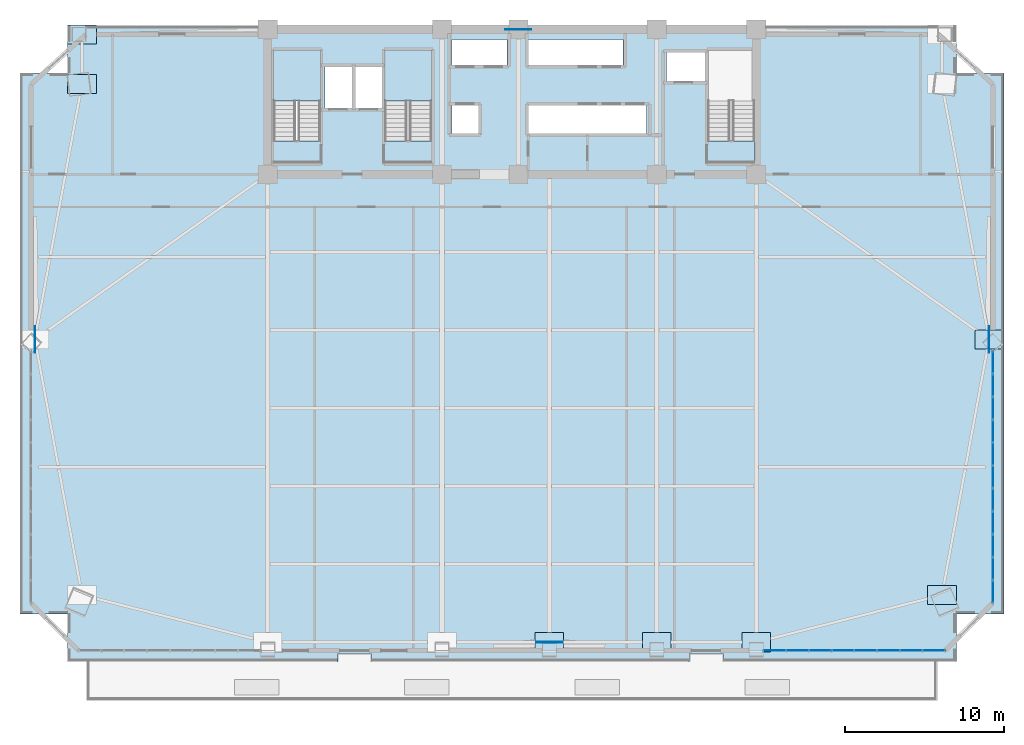
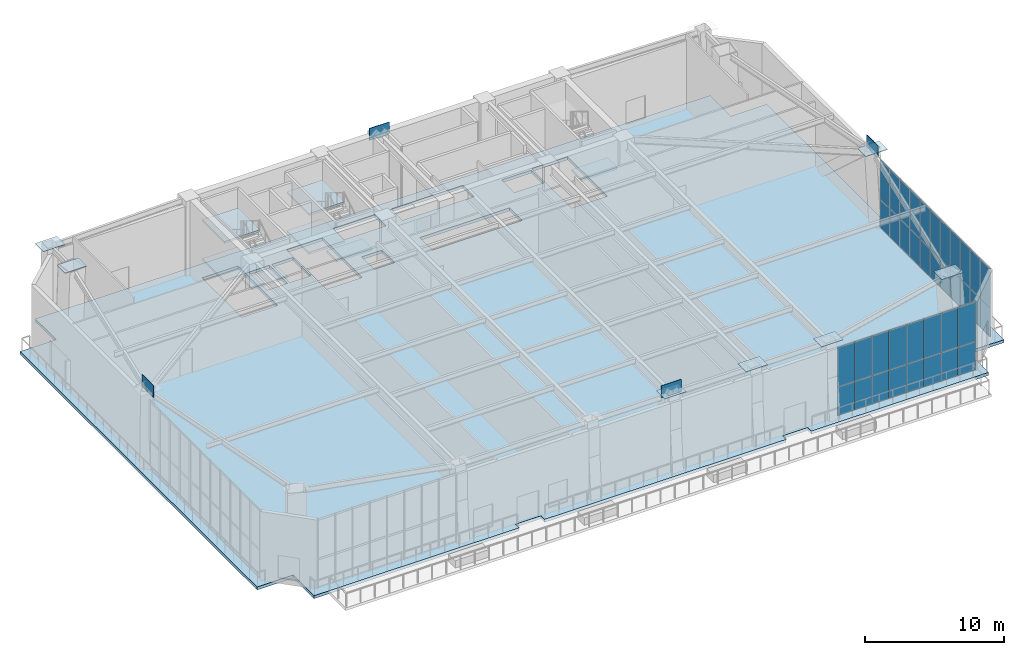
# One storey, part 13 of 22: 49 plates, 8 slabs, 5 elements without a shape of their own.
"""IFC4 building model written with IfcOpenShell, lengths in metres."""

import ifcopenshell
import ifcopenshell.guid

model = None  # the IFC model being written
_history = None  # IfcOwnerHistory: only IFC2X3 demands one
_inside = {}  # id of a spatial element -> (the spatial element, [elements in it])
_under = {}  # id of a project, library or spatial element -> (it, [spatial elements below it])
_declared = {}  # id of a project -> (the project, [libraries it declares])
_typed = {}  # id of a type object -> (the type object, [elements of that type])
_made_of = {}  # id of a material, layer set ... -> (it, [elements and type objects made of it])


def new_model(schema):
    """Start an empty IFC model of exactly this schema.

    Asked for "IFC4X3", IfcOpenShell would pick the latest addendum, in which some entities
    have other attributes; the version numbers below select the first issue.
    IFC2X3 requires an IfcOwnerHistory on every rooted entity: one is made here for all.
    """
    global model, _history
    if schema == "IFC4X3":
        model = ifcopenshell.file(schema_version=(4, 3, 0, 0))
    else:
        model = ifcopenshell.file(schema=schema)
    _inside.clear()
    _under.clear()
    _declared.clear()
    _typed.clear()
    _made_of.clear()
    _history = None
    if model.schema == "IFC2X3":
        org = make("IfcOrganization", Name="unknown")
        user = make(
            "IfcPersonAndOrganization",
            ThePerson=make("IfcPerson", FamilyName="unknown"),
            TheOrganization=org,
        )
        app = make(
            "IfcApplication",
            ApplicationDeveloper=org,
            Version="unknown",
            ApplicationFullName="unknown",
            ApplicationIdentifier="unknown",
        )
        _history = make(
            "IfcOwnerHistory",
            OwningUser=user,
            OwningApplication=app,
            ChangeAction="ADDED",
            CreationDate=0,
        )
    return model


def make(cls, **values):
    """One entity of the class cls with the attributes given. An attribute that is None is left unset."""
    return model.create_entity(
        cls, **{name: value for name, value in values.items() if value is not None}
    )


def rooted(cls, **values):
    """An entity with a GlobalId (a new one), such as an element, a storey or a relation."""
    return make(cls, GlobalId=ifcopenshell.guid.new(), OwnerHistory=_history, **values)


def si_unit(unit_type, name, prefix=None):
    """IfcSIUnit, for example si_unit("LENGTHUNIT", "METRE", prefix="MILLI")."""
    return make("IfcSIUnit", UnitType=unit_type, Prefix=prefix, Name=name)


def assignment(units):
    """IfcUnitAssignment: the units of a project."""
    return None if units is None else make("IfcUnitAssignment", Units=units)


def point(xyz):
    """IfcCartesianPoint."""
    return None if xyz is None else make("IfcCartesianPoint", Coordinates=xyz)


def direction(xyz):
    """IfcDirection."""
    return None if xyz is None else make("IfcDirection", DirectionRatios=xyz)


def frame(location, z_axis=None, x_axis=None):
    """IfcAxis2Placement3D, a coordinate frame: its origin and axes. An axis left out is left unset."""
    return make(
        "IfcAxis2Placement3D",
        Location=point(location),
        Axis=direction(z_axis),
        RefDirection=direction(x_axis),
    )


def frame_2d(location, x_axis=None):
    """IfcAxis2Placement2D, a coordinate frame in the plane: its origin and x axis."""
    return make(
        "IfcAxis2Placement2D", Location=point(location), RefDirection=direction(x_axis)
    )


def origin():
    """The frame at (0, 0, 0) with its axes left unset."""
    return frame((0.0, 0.0, 0.0))


def origin_2d():
    """The frame at (0, 0) in the plane with its x axis left unset."""
    return frame_2d((0.0, 0.0))


def place(relative_to, where):
    """IfcLocalPlacement: puts the frame where relative to a parent placement (None: the world)."""
    return make(
        "IfcLocalPlacement", PlacementRelTo=relative_to, RelativePlacement=where
    )


def context(
    kind, dimensions, precision=None, world=None, true_north=None, identifier=None
):
    """IfcGeometricRepresentationContext, for example the 3D "Model" context."""
    return make(
        "IfcGeometricRepresentationContext",
        ContextIdentifier=identifier,
        ContextType=kind,
        CoordinateSpaceDimension=dimensions,
        Precision=precision,
        WorldCoordinateSystem=world,
        TrueNorth=true_north,
    )


def subcontext(parent, identifier, kind, view, scale=None):
    """IfcGeometricRepresentationSubContext, for example "Body" below "Model"."""
    return make(
        "IfcGeometricRepresentationSubContext",
        ContextIdentifier=identifier,
        ContextType=kind,
        ParentContext=parent,
        TargetScale=scale,
        TargetView=view,
    )


def project(units=None, contexts=None):
    """IfcProject with its units and contexts."""
    return rooted(
        "IfcProject",
        Name="project",
        RepresentationContexts=contexts,
        UnitsInContext=assignment(units),
    )


def spatial(cls, under=None, at=None, **own):
    """A site, building, storey or space (cls), placed at a placement, below another one or the project."""
    s = rooted(cls, ObjectPlacement=at, **own)
    if under is not None:
        _under.setdefault(under.id(), (under, []))[1].append(s)
    return s


def polyline(points):
    """IfcPolyline through the points."""
    return make("IfcPolyline", Points=[point(p) for p in points])


def profile(cls, at=None, kind="AREA", **sizes):
    """A parametric profile (cls). Its sizes go by their IFC names, for example OverallWidth=200.0."""
    return make(cls, ProfileType=kind, Position=at, **sizes)


def rectangle(**sizes):
    """IfcRectangleProfileDef."""
    return profile("IfcRectangleProfileDef", **sizes)


def outline(outer, holes=None, kind="AREA"):
    """IfcArbitraryClosedProfileDef: a profile drawn as a closed curve; with holes, ...WithVoids."""
    if holes is None:
        return make("IfcArbitraryClosedProfileDef", ProfileType=kind, OuterCurve=outer)
    return make(
        "IfcArbitraryProfileDefWithVoids",
        ProfileType=kind,
        OuterCurve=outer,
        InnerCurves=holes,
    )


def extrude(swept, where, along, depth):
    """IfcExtrudedAreaSolid: the profile swept, set in the frame where, extruded along a direction by depth."""
    return make(
        "IfcExtrudedAreaSolid",
        SweptArea=swept,
        Position=where,
        ExtrudedDirection=direction(along),
        Depth=depth,
    )


def shape(context_of_items, identifier, shape_type, items):
    """IfcShapeRepresentation: the items that make up one representation, for example the "Body"."""
    return make(
        "IfcShapeRepresentation",
        ContextOfItems=context_of_items,
        RepresentationIdentifier=identifier,
        RepresentationType=shape_type,
        Items=items,
    )


def source(mapping_origin, context_of_items, identifier, shape_type, items):
    """IfcRepresentationMap: a shape defined once, which mapped items show again and again."""
    return make(
        "IfcRepresentationMap",
        MappingOrigin=mapping_origin,
        MappedRepresentation=shape(context_of_items, identifier, shape_type, items),
    )


def transform(
    local_origin,
    x_axis=None,
    y_axis=None,
    z_axis=None,
    scale=None,
    scale2=None,
    scale3=None,
    uniform=True,
):
    """IfcCartesianTransformationOperator3D, or its non-uniform kind. x_axis, y_axis, z_axis: its Axis1, 2, 3."""
    if uniform:
        return make(
            "IfcCartesianTransformationOperator3D",
            Axis1=direction(x_axis),
            Axis2=direction(y_axis),
            LocalOrigin=point(local_origin),
            Scale=scale,
            Axis3=direction(z_axis),
        )
    return make(
        "IfcCartesianTransformationOperator3DnonUniform",
        Axis1=direction(x_axis),
        Axis2=direction(y_axis),
        LocalOrigin=point(local_origin),
        Scale=scale,
        Axis3=direction(z_axis),
        Scale2=scale2,
        Scale3=scale3,
    )


def mapped(mapping_source, mapping_target):
    """IfcMappedItem: shows the shape of a source again, moved by a transform."""
    return make(
        "IfcMappedItem", MappingSource=mapping_source, MappingTarget=mapping_target
    )


def material(Name=None, Category=None):
    """IfcMaterial."""
    return make("IfcMaterial", Name=Name, Category=Category)


def layer(
    of_material, thickness, ventilated=None, Name=None, Category=None, Priority=None
):
    """IfcMaterialLayer: one layer of a wall or slab, of a material (None: an air gap)."""
    return make(
        "IfcMaterialLayer",
        Material=of_material,
        LayerThickness=thickness,
        IsVentilated=ventilated,
        Name=Name,
        Category=Category,
        Priority=Priority,
    )


def layer_set(layers, Name=None):
    """IfcMaterialLayerSet."""
    return make("IfcMaterialLayerSet", MaterialLayers=layers, LayerSetName=Name)


def made_of(thing, what):
    """Note that an element or type object is made of a material, layer set ...; save() writes the relation."""
    if what is not None:
        _made_of.setdefault(what.id(), (what, []))[1].append(thing)
    return thing


def type_object(cls, material=None, **own):
    """A type object (cls), such as IfcWallType, which elements share."""
    return made_of(rooted(cls, **own), material)


def element(
    cls,
    number,
    at=None,
    inside=None,
    cuts=None,
    type_object=None,
    material=None,
    context=None,
    identifier="Body",
    shape_type=None,
    held_by="IfcProductDefinitionShape",
    body=None,
    shapes=None,
    **own,
):
    """One element of the class cls, such as IfcWall. Its Tag is "e" and its number.

    at: its placement. inside: the storey or other place that contains it. cuts: it is an
    opening in that element (IfcRelVoidsElement). A single representation is given by context,
    identifier, shape_type and body (its items); several are given by shapes. held_by: the class
    of the entity that holds the representations. save() writes the other relations.
    """
    e = rooted(cls, Tag="e%d" % number, ObjectPlacement=at, **own)
    if body is not None:
        shapes = [shape(context, identifier, shape_type, body)]
    if shapes is not None:
        e.Representation = make(held_by, Representations=shapes)
    if inside is not None:
        _inside.setdefault(inside.id(), (inside, []))[1].append(e)
    if cuts is not None:
        rooted(
            "IfcRelVoidsElement", RelatingBuildingElement=cuts, RelatedOpeningElement=e
        )
    if type_object is not None:
        _typed.setdefault(type_object.id(), (type_object, []))[1].append(e)
    return made_of(e, material)


def aggregate(whole, parts):
    """IfcRelAggregates: a whole, such as a stair, and the parts it consists of."""
    return rooted("IfcRelAggregates", RelatingObject=whole, RelatedObjects=parts)


def save(model, path):
    """Write the relations noted so far, then the file.

    IfcRelAggregates (storeys below a building ...), IfcRelContainedInSpatialStructure (elements
    in a storey), IfcRelDefinesByType, IfcRelAssociatesMaterial and IfcRelDeclares: one each for
    every whole, place, type object, material and project.
    """
    for whole, parts in _under.values():
        aggregate(whole, parts)
    for where, things in _inside.values():
        rooted(
            "IfcRelContainedInSpatialStructure",
            RelatedElements=things,
            RelatingStructure=where,
        )
    for kind, things in _typed.values():
        rooted("IfcRelDefinesByType", RelatedObjects=things, RelatingType=kind)
    for what, things in _made_of.values():
        rooted("IfcRelAssociatesMaterial", RelatedObjects=things, RelatingMaterial=what)
    for by, libraries in _declared.values():
        rooted("IfcRelDeclares", RelatingContext=by, RelatedDefinitions=libraries)
    model.write(path)


model = new_model("IFC4")

# Units and contexts
model_context = context("Model", 3, precision=1e-05, world=origin(), true_north=direction((0.0, 1.0)))
body_context = subcontext(model_context, "Body", "Model", "MODEL_VIEW")
ifc_project = project(units=[si_unit("LENGTHUNIT", "METRE"), si_unit("AREAUNIT", "SQUARE_METRE"), si_unit("VOLUMEUNIT", "CUBIC_METRE"), si_unit("PLANEANGLEUNIT", "RADIAN"), si_unit("MASSUNIT", "GRAM", prefix="KILO")], contexts=[model_context])

# Site, building, storey
site_placement = place(None, origin())
site = spatial("IfcSite", under=ifc_project, at=site_placement, CompositionType="ELEMENT")
building_placement = place(site_placement, origin())
building = spatial("IfcBuilding", under=site, at=building_placement, Name="Giltprow Tower", CompositionType="ELEMENT")
storey_placement = place(building_placement, frame((0.0, 0.0, 130.89990234375)))
storey = spatial("IfcBuildingStorey", under=building, at=storey_placement, Name="L32", CompositionType="ELEMENT", Elevation=130.89990234375)

# Slab
ifc_material_1 = material(Name="Concrete C40", Category="concrete")
ifc_layer_1 = layer(ifc_material_1, 0.260009765625, Name="Concrete C40")
ifc_layer_set_1 = layer_set([ifc_layer_1], Name="Concrete C40")
slab_type_1 = type_object("IfcSlabType", Name="SLB-SG-260", PredefinedType="FLOOR", material=ifc_layer_set_1)
slab_1_placement = place(storey_placement, frame((0.0, 0.0, -0.260009765625)))
element("IfcSlab", 1, at=slab_1_placement, inside=storey, type_object=slab_type_1, Name="L32 Structural Composite Floor Slab", PredefinedType="FLOOR", context=body_context, shape_type="SweptSolid", body=[
    extrude(outline(polyline([(7.27001953125, 6.818115234375), (7.27001953125, 9.80908203125), (4.279052734375, 9.80908203125), (4.279052734375, 43.80908203125), (7.27001953125, 43.80908203125), (7.27001953125, 46.800048828125), (63.1298828125, 46.800048828125), (63.1298828125, 43.80908203125), (66.12109375, 43.80908203125), (66.12109375, 9.80908203125), (63.1298828125, 9.80908203125), (63.1298828125, 6.818115234375), (48.449951171875, 6.818115234375), (48.449951171875, 7.337890625), (46.35009765625, 7.337890625), (46.35009765625, 6.818115234375), (26.35009765625, 6.818115234375), (26.35009765625, 7.337890625), (24.25, 7.337890625), (24.25, 6.818115234375), (7.27001953125, 6.818115234375)]), holes=[polyline([(33.10009765625, 41.800048828125), (31.419921875, 41.800048828125), (31.419921875, 40.0), (33.10009765625, 40.0), (33.10009765625, 41.800048828125)]), polyline([(23.159912109375, 39.570068359375), (23.159912109375, 45.25), (20.199951171875, 45.25), (20.199951171875, 39.570068359375), (23.159912109375, 39.570068359375)]), polyline([(30.159912109375, 45.25), (27.199951171875, 45.25), (27.199951171875, 39.570068359375), (30.159912109375, 39.570068359375), (30.159912109375, 45.25)]), polyline([(25.169921875, 41.60009765625), (25.169921875, 44.199951171875), (23.449951171875, 44.199951171875), (23.449951171875, 41.60009765625), (25.169921875, 41.60009765625)]), polyline([(27.10009765625, 41.60009765625), (27.10009765625, 44.199951171875), (25.35009765625, 44.199951171875), (25.35009765625, 41.60009765625), (27.10009765625, 41.60009765625)]), polyline([(43.659912109375, 40.0), (43.659912109375, 41.800048828125), (36.239990234375, 41.800048828125), (36.239990234375, 40.0), (43.659912109375, 40.0)]), polyline([(50.4599609375, 39.570068359375), (50.4599609375, 45.25), (47.5, 45.25), (47.5, 39.570068359375), (50.4599609375, 39.570068359375)]), polyline([(47.3798828125, 45.10009765625), (44.919921875, 45.10009765625), (44.919921875, 43.300048828125), (47.3798828125, 43.300048828125), (47.3798828125, 45.10009765625)]), polyline([(34.8798828125, 44.300048828125), (34.8798828125, 45.919921875), (31.419921875, 45.919921875), (31.419921875, 44.300048828125), (34.8798828125, 44.300048828125)]), polyline([(42.169921875, 44.300048828125), (42.169921875, 45.919921875), (36.239990234375, 45.919921875), (36.239990234375, 44.300048828125), (42.169921875, 44.300048828125)])]), origin(), (0.0, 0.0, 1.0), 0.260009765625),
])

# Stair, slabs
stair_type_1 = type_object("IfcStairType", Name="STR-ST-1", PredefinedType="HALF_TURN_STAIR", material=ifc_material_1)
stair_1_placement = place(storey_placement, origin())
stair_1 = element("IfcStair", 2, at=stair_1_placement, inside=storey, type_object=stair_type_1, Name="L32 Core Exit Stair ST-1", PredefinedType="HALF_TURN_STAIR")
ifc_layer_2 = layer(ifc_material_1, 0.179931640625, Name="Concrete C40")
ifc_layer_set_2 = layer_set([ifc_layer_2], Name="Concrete C40")
slab_type_2 = type_object("IfcSlabType", Name="SLD-ST-1", PredefinedType="LANDING", material=ifc_layer_set_2)
slab_2_placement = place(storey_placement, frame((0.0, 0.0, 1.52001953125)))
slab_2 = element("IfcSlab", 3, at=slab_2_placement, type_object=slab_type_2, Name="ST-1 landing 1", PredefinedType="LANDING", context=body_context, shape_type="SweptSolid", body=[
    extrude(outline(polyline([(23.159912109375, 42.070068359375), (23.159912109375, 45.25), (20.199951171875, 45.25), (20.199951171875, 42.070068359375), (23.159912109375, 42.070068359375)])), origin(), (0.0, 0.0, 1.0), 0.18017578125),
])
slab_3_placement = place(storey_placement, frame((0.0, 0.0, 3.22021484375)))
slab_3 = element("IfcSlab", 4, at=slab_3_placement, type_object=slab_type_2, Name="ST-1 landing 2", PredefinedType="LANDING", context=body_context, shape_type="SweptSolid", body=[
    extrude(outline(polyline([(23.159912109375, 38.14990234375), (23.159912109375, 39.550048828125), (20.199951171875, 39.550048828125), (20.199951171875, 38.14990234375), (23.159912109375, 38.14990234375)])), origin(), (0.0, 0.0, 1.0), 0.179931640625),
])
slab_4_placement = place(storey_placement, frame((0.0, 0.0, 4.920166015625)))
slab_4 = element("IfcSlab", 5, at=slab_4_placement, type_object=slab_type_2, Name="ST-1 landing 3", PredefinedType="LANDING", context=body_context, shape_type="SweptSolid", body=[
    extrude(outline(polyline([(23.159912109375, 42.070068359375), (23.159912109375, 45.25), (20.199951171875, 45.25), (20.199951171875, 42.070068359375), (23.159912109375, 42.070068359375)])), origin(), (0.0, 0.0, 1.0), 0.179931640625),
])
aggregate(stair_1, [slab_2, slab_3, slab_4])

stair_type_2 = type_object("IfcStairType", Name="STR-ST-2", PredefinedType="HALF_TURN_STAIR", material=ifc_material_1)
stair_2_placement = place(storey_placement, origin())
stair_2 = element("IfcStair", 6, at=stair_2_placement, inside=storey, type_object=stair_type_2, Name="L32 Core Exit Stair ST-2", PredefinedType="HALF_TURN_STAIR")
ifc_layer_3 = layer(ifc_material_1, 0.18798828125, Name="Concrete C40")
ifc_layer_set_3 = layer_set([ifc_layer_3], Name="Concrete C40")
slab_type_3 = type_object("IfcSlabType", Name="SLD-ST-2", PredefinedType="LANDING", material=ifc_layer_set_3)
slab_5_placement = place(storey_placement, frame((0.0, 0.0, 1.51220703125)))
slab_5 = element("IfcSlab", 7, at=slab_5_placement, type_object=slab_type_3, Name="ST-2 landing 1", PredefinedType="LANDING", context=body_context, shape_type="SweptSolid", body=[
    extrude(outline(polyline([(30.159912109375, 42.070068359375), (30.159912109375, 45.25), (27.199951171875, 45.25), (27.199951171875, 42.070068359375), (30.159912109375, 42.070068359375)])), origin(), (0.0, 0.0, 1.0), 0.18798828125),
])
slab_6_placement = place(storey_placement, frame((0.0, 0.0, 3.212158203125)))
slab_6 = element("IfcSlab", 8, at=slab_6_placement, type_object=slab_type_3, Name="ST-2 landing 2", PredefinedType="LANDING", context=body_context, shape_type="SweptSolid", body=[
    extrude(outline(polyline([(30.159912109375, 38.14990234375), (30.159912109375, 39.550048828125), (27.199951171875, 39.550048828125), (27.199951171875, 38.14990234375), (30.159912109375, 38.14990234375)])), origin(), (0.0, 0.0, 1.0), 0.18798828125),
])
slab_7_placement = place(storey_placement, frame((0.0, 0.0, 4.912109375)))
slab_7 = element("IfcSlab", 9, at=slab_7_placement, type_object=slab_type_3, Name="ST-2 landing 3", PredefinedType="LANDING", context=body_context, shape_type="SweptSolid", body=[
    extrude(outline(polyline([(30.159912109375, 42.070068359375), (30.159912109375, 45.25), (27.199951171875, 45.25), (27.199951171875, 42.070068359375), (30.159912109375, 42.070068359375)])), origin(), (0.0, 0.0, 1.0), 0.18798828125),
])
aggregate(stair_2, [slab_5, slab_6, slab_7])

# Stair, slab
stair_type_3 = type_object("IfcStairType", Name="STR-ST-3", PredefinedType="HALF_TURN_STAIR", material=ifc_material_1)
stair_3_placement = place(storey_placement, origin())
stair_3 = element("IfcStair", 10, at=stair_3_placement, inside=storey, type_object=stair_type_3, Name="L32 Core Exit Stair ST-3", PredefinedType="HALF_TURN_STAIR")
ifc_layer_4 = layer(ifc_material_1, 0.196044921875, Name="Concrete C40")
ifc_layer_set_4 = layer_set([ifc_layer_4], Name="Concrete C40")
slab_type_4 = type_object("IfcSlabType", Name="SLD-ST-3", PredefinedType="LANDING", material=ifc_layer_set_4)
slab_8_placement = place(storey_placement, frame((0.0, 0.0, 3.2041015625)))
slab_8 = element("IfcSlab", 11, at=slab_8_placement, type_object=slab_type_4, Name="ST-3 landing 2", PredefinedType="LANDING", context=body_context, shape_type="SweptSolid", body=[
    extrude(outline(polyline([(50.4599609375, 38.14990234375), (50.4599609375, 39.550048828125), (47.5, 39.550048828125), (47.5, 38.14990234375), (50.4599609375, 38.14990234375)])), origin(), (0.0, 0.0, 1.0), 0.196044921875),
])
aggregate(stair_3, [slab_8])

# Plates
ifc_material_2 = material(Name="Structural steel Q420GJC", Category="steel")
plate_type_1 = type_object("IfcPlateType", Name="PLT-NODE-CKN1", PredefinedType="USERDEFINED", material=ifc_material_2)
shared_shape_1 = source(origin(), body_context, "Body", "SweptSolid", [
    extrude(rectangle(XDim=1.800048828125, YDim=1.199951171875, at=origin_2d()), origin(), (0.0, 0.0, 1.0), 0.044921875),
])
for number, where, z_axis, x_axis, name in (
    (12, (62.220947265625, 11.010009765625, 6.527587890625), (0.0, 0.0, 1.0), (1.0, 0.0, 0.0), "CKN1 Column Taper Splice Node L32-MC_SE"),
    (13, (8.178955078125, 43.134033203125, 6.527587890625), (0.0, 0.0, 1.0), (1.0, 0.0, 0.0), "CKN1 Column Taper Splice Node L32-MC_NW"),
    (14, (37.550048828125, 8.044921875, 6.527587890625), (0.0, 0.0, 1.0), (1.0, 0.0, 0.0), "CKN1 Column Taper Splice Node L32-S_MID"),
    (15, (44.300048828125, 8.044921875, 6.527587890625), (0.0, 0.0, 1.0), (1.0, 0.0, 0.0), "CKN1 Column Taper Splice Node L32-S3"),
    (16, (50.550048828125, 8.044921875, 6.527587890625), (0.0, 0.0, 1.0), (1.0, 0.0, 0.0), "CKN1 Column Taper Splice Node L32-S4"),
    (17, (65.18603515625, 27.072021484375, 6.527587890625), (0.0, 0.0, 1.0), (1.0, 0.0, 0.0), "CKN1 Column Taper Splice Node L32-E_MID"),
    (18, (8.178955078125, 46.25, 6.527587890625), (0.0, 0.0, 1.0), (1.0, 0.0, 0.0), "CKN1 Column Taper Splice Node L32-N_W"),
):
    element("IfcPlate", number, at=place(storey_placement, frame(where, z_axis=z_axis, x_axis=x_axis)), inside=storey, type_object=plate_type_1, Name=name, ObjectType="SPLICE", PredefinedType="USERDEFINED", context=body_context, shape_type="MappedRepresentation", body=[
        mapped(shared_shape_1, transform((0.0, 0.0, 0.0), x_axis=(1.0, 0.0, 0.0), y_axis=(0.0, 1.0, 0.0), z_axis=(0.0, 0.0, 1.0), scale=1.0)),
    ])
plate_type_2 = type_object("IfcPlateType", Name="PLT-NODE-MBN2", PredefinedType="USERDEFINED", material=ifc_material_2)
shared_shape_2 = source(origin(), body_context, "Body", "SweptSolid", [
    extrude(rectangle(XDim=1.64990234375, YDim=0.044921875, at=origin_2d()), origin(), (0.0, 0.0, 1.0), 1.050048828125),
])
for number, where, z_axis, x_axis, name in (
    (19, (37.550048828125, 8.044921875, 6.27490234375), (0.0, 0.0, 1.0), (1.0, 0.0, 0.0), "Mega-Brace Node L32-S-LB"),
    (20, (35.60009765625, 46.550048828125, 6.13525390625), (0.0, 0.0, 1.0), (1.0, 0.0, 0.0), "Mega-Brace Node L32-N-LB"),
    (21, (5.214111328125, 27.072021484375, 6.27490234375), (0.0, 0.0, 1.0), (0.0, 1.0, 0.0), "Mega-Brace Node L32-W-RB"),
    (22, (65.18603515625, 27.072021484375, 6.27490234375), (0.0, 0.0, 1.0), (0.0, 1.0, 0.0), "Mega-Brace Node L32-E-RB"),
):
    element("IfcPlate", number, at=place(storey_placement, frame(where, z_axis=z_axis, x_axis=x_axis)), inside=storey, type_object=plate_type_2, Name=name, ObjectType="GUSSET", PredefinedType="USERDEFINED", context=body_context, shape_type="MappedRepresentation", body=[
        mapped(shared_shape_2, transform((0.0, 0.0, 0.0), x_axis=(1.0, 0.0, 0.0), y_axis=(0.0, 1.0, 0.0), z_axis=(0.0, 0.0, 1.0), scale=1.0)),
    ])

# Curtain wall, plates
ifc_material_3 = material(Name="Anodized bronze", Category="metal")
ifc_layer_5 = layer(ifc_material_3, 0.179931640625, Name="Anodized bronze")
ifc_layer_set_5 = layer_set([ifc_layer_5], Name="Anodized bronze")
curtain_wall_type = type_object("IfcCurtainWallType", Name="CW-SKYGARDEN", PredefinedType="NOTDEFINED", material=ifc_layer_set_5)
curtain_wall_1_placement = place(storey_placement, origin())
curtain_wall_1 = element("IfcCurtainWall", 23, at=curtain_wall_1_placement, inside=storey, type_object=curtain_wall_type, Name="L32 South Recessed Curtain Wall 6", PredefinedType="NOTDEFINED")
ifc_material_4 = material(Name="Insulated glass", Category="glass")
plate_type_3 = type_object("IfcPlateType", Name="CW-PANEL-IGU-28", PredefinedType="CURTAIN_PANEL", material=ifc_material_4)
shared_shape_3 = source(origin(), body_context, "Body", "SweptSolid", [
    extrude(rectangle(XDim=1.39892578125, YDim=0.028076171875, at=origin_2d()), origin(), (0.0, 0.0, 1.0), 2.472900390625),
])
plate_1_placement = place(storey_placement, frame((51.714111328125, 7.51806640625, 0.0537109375), z_axis=(0.0, 0.0, 1.0), x_axis=(1.0, 0.0, 0.0)))
plate_1 = element("IfcPlate", 24, at=plate_1_placement, type_object=plate_type_3, Name="L32 South Recessed Curtain Wall 6 Glazing Panel 1-1", PredefinedType="CURTAIN_PANEL", context=body_context, shape_type="MappedRepresentation", body=[
    mapped(shared_shape_3, transform((0.0, 0.0, 0.0), x_axis=(1.0, 0.0, 0.0), y_axis=(0.0, 1.0, 0.0), z_axis=(0.0, 0.0, 1.0), scale=1.0)),
])
plate_2_placement = place(storey_placement, frame((53.14306640625, 7.51806640625, 0.0537109375), z_axis=(0.0, 0.0, 1.0), x_axis=(1.0, 0.0, 0.0)))
plate_2 = element("IfcPlate", 25, at=plate_2_placement, type_object=plate_type_3, Name="L32 South Recessed Curtain Wall 6 Glazing Panel 2-1", PredefinedType="CURTAIN_PANEL", context=body_context, shape_type="MappedRepresentation", body=[
    mapped(shared_shape_3, transform((0.0, 0.0, 0.0), x_axis=(1.0, 0.0, 0.0), y_axis=(0.0, 1.0, 0.0), z_axis=(0.0, 0.0, 1.0), scale=1.0)),
])
plate_3_placement = place(storey_placement, frame((54.572021484375, 7.51806640625, 0.0537109375), z_axis=(0.0, 0.0, 1.0), x_axis=(1.0, 0.0, 0.0)))
plate_3 = element("IfcPlate", 26, at=plate_3_placement, type_object=plate_type_3, Name="L32 South Recessed Curtain Wall 6 Glazing Panel 3-1", PredefinedType="CURTAIN_PANEL", context=body_context, shape_type="MappedRepresentation", body=[
    mapped(shared_shape_3, transform((0.0, 0.0, 0.0), x_axis=(1.0, 0.0, 0.0), y_axis=(0.0, 1.0, 0.0), z_axis=(0.0, 0.0, 1.0), scale=1.0)),
])
plate_4_placement = place(storey_placement, frame((56.0009765625, 7.51806640625, 0.0537109375), z_axis=(0.0, 0.0, 1.0), x_axis=(1.0, 0.0, 0.0)))
plate_4 = element("IfcPlate", 27, at=plate_4_placement, type_object=plate_type_3, Name="L32 South Recessed Curtain Wall 6 Glazing Panel 4-1", PredefinedType="CURTAIN_PANEL", context=body_context, shape_type="MappedRepresentation", body=[
    mapped(shared_shape_3, transform((0.0, 0.0, 0.0), x_axis=(1.0, 0.0, 0.0), y_axis=(0.0, 1.0, 0.0), z_axis=(0.0, 0.0, 1.0), scale=1.0)),
])
plate_5_placement = place(storey_placement, frame((57.428955078125, 7.51806640625, 0.0537109375), z_axis=(0.0, 0.0, 1.0), x_axis=(1.0, 0.0, 0.0)))
plate_5 = element("IfcPlate", 28, at=plate_5_placement, type_object=plate_type_3, Name="L32 South Recessed Curtain Wall 6 Glazing Panel 5-1", PredefinedType="CURTAIN_PANEL", context=body_context, shape_type="MappedRepresentation", body=[
    mapped(shared_shape_3, transform((0.0, 0.0, 0.0), x_axis=(1.0, 0.0, 0.0), y_axis=(0.0, 1.0, 0.0), z_axis=(0.0, 0.0, 1.0), scale=1.0)),
])
plate_6_placement = place(storey_placement, frame((58.85791015625, 7.51806640625, 0.0537109375), z_axis=(0.0, 0.0, 1.0), x_axis=(1.0, 0.0, 0.0)))
plate_6 = element("IfcPlate", 29, at=plate_6_placement, type_object=plate_type_3, Name="L32 South Recessed Curtain Wall 6 Glazing Panel 6-1", PredefinedType="CURTAIN_PANEL", context=body_context, shape_type="MappedRepresentation", body=[
    mapped(shared_shape_3, transform((0.0, 0.0, 0.0), x_axis=(1.0, 0.0, 0.0), y_axis=(0.0, 1.0, 0.0), z_axis=(0.0, 0.0, 1.0), scale=1.0)),
])
plate_7_placement = place(storey_placement, frame((60.287109375, 7.51806640625, 0.0537109375), z_axis=(0.0, 0.0, 1.0), x_axis=(1.0, 0.0, 0.0)))
plate_7 = element("IfcPlate", 30, at=plate_7_placement, type_object=plate_type_3, Name="L32 South Recessed Curtain Wall 6 Glazing Panel 7-1", PredefinedType="CURTAIN_PANEL", context=body_context, shape_type="MappedRepresentation", body=[
    mapped(shared_shape_3, transform((0.0, 0.0, 0.0), x_axis=(1.0, 0.0, 0.0), y_axis=(0.0, 1.0, 0.0), z_axis=(0.0, 0.0, 1.0), scale=1.0)),
])
plate_8_placement = place(storey_placement, frame((61.716064453125, 7.51806640625, 0.0537109375), z_axis=(0.0, 0.0, 1.0), x_axis=(1.0, 0.0, 0.0)))
plate_8 = element("IfcPlate", 31, at=plate_8_placement, type_object=plate_type_3, Name="L32 South Recessed Curtain Wall 6 Glazing Panel 8-1", PredefinedType="CURTAIN_PANEL", context=body_context, shape_type="MappedRepresentation", body=[
    mapped(shared_shape_3, transform((0.0, 0.0, 0.0), x_axis=(1.0, 0.0, 0.0), y_axis=(0.0, 1.0, 0.0), z_axis=(0.0, 0.0, 1.0), scale=1.0)),
])
shared_shape_4 = source(origin(), body_context, "Body", "SweptSolid", [
    extrude(rectangle(XDim=1.39892578125, YDim=0.028076171875, at=origin_2d()), origin(), (0.0, 0.0, 1.0), 3.44091796875),
])
plate_9_placement = place(storey_placement, frame((51.714111328125, 7.51806640625, 2.5546875), z_axis=(0.0, 0.0, 1.0), x_axis=(1.0, 0.0, 0.0)))
plate_9 = element("IfcPlate", 32, at=plate_9_placement, type_object=plate_type_3, Name="L32 South Recessed Curtain Wall 6 Glazing Panel 1-2", PredefinedType="CURTAIN_PANEL", context=body_context, shape_type="MappedRepresentation", body=[
    mapped(shared_shape_4, transform((0.0, 0.0, 0.0), x_axis=(1.0, 0.0, 0.0), y_axis=(0.0, 1.0, 0.0), z_axis=(0.0, 0.0, 1.0), scale=1.0)),
])
plate_10_placement = place(storey_placement, frame((53.14306640625, 7.51806640625, 2.5546875), z_axis=(0.0, 0.0, 1.0), x_axis=(1.0, 0.0, 0.0)))
plate_10 = element("IfcPlate", 33, at=plate_10_placement, type_object=plate_type_3, Name="L32 South Recessed Curtain Wall 6 Glazing Panel 2-2", PredefinedType="CURTAIN_PANEL", context=body_context, shape_type="MappedRepresentation", body=[
    mapped(shared_shape_4, transform((0.0, 0.0, 0.0), x_axis=(1.0, 0.0, 0.0), y_axis=(0.0, 1.0, 0.0), z_axis=(0.0, 0.0, 1.0), scale=1.0)),
])
plate_11_placement = place(storey_placement, frame((54.572021484375, 7.51806640625, 2.5546875), z_axis=(0.0, 0.0, 1.0), x_axis=(1.0, 0.0, 0.0)))
plate_11 = element("IfcPlate", 34, at=plate_11_placement, type_object=plate_type_3, Name="L32 South Recessed Curtain Wall 6 Glazing Panel 3-2", PredefinedType="CURTAIN_PANEL", context=body_context, shape_type="MappedRepresentation", body=[
    mapped(shared_shape_4, transform((0.0, 0.0, 0.0), x_axis=(1.0, 0.0, 0.0), y_axis=(0.0, 1.0, 0.0), z_axis=(0.0, 0.0, 1.0), scale=1.0)),
])
plate_12_placement = place(storey_placement, frame((56.0009765625, 7.51806640625, 2.5546875), z_axis=(0.0, 0.0, 1.0), x_axis=(1.0, 0.0, 0.0)))
plate_12 = element("IfcPlate", 35, at=plate_12_placement, type_object=plate_type_3, Name="L32 South Recessed Curtain Wall 6 Glazing Panel 4-2", PredefinedType="CURTAIN_PANEL", context=body_context, shape_type="MappedRepresentation", body=[
    mapped(shared_shape_4, transform((0.0, 0.0, 0.0), x_axis=(1.0, 0.0, 0.0), y_axis=(0.0, 1.0, 0.0), z_axis=(0.0, 0.0, 1.0), scale=1.0)),
])
plate_13_placement = place(storey_placement, frame((57.428955078125, 7.51806640625, 2.5546875), z_axis=(0.0, 0.0, 1.0), x_axis=(1.0, 0.0, 0.0)))
plate_13 = element("IfcPlate", 36, at=plate_13_placement, type_object=plate_type_3, Name="L32 South Recessed Curtain Wall 6 Glazing Panel 5-2", PredefinedType="CURTAIN_PANEL", context=body_context, shape_type="MappedRepresentation", body=[
    mapped(shared_shape_4, transform((0.0, 0.0, 0.0), x_axis=(1.0, 0.0, 0.0), y_axis=(0.0, 1.0, 0.0), z_axis=(0.0, 0.0, 1.0), scale=1.0)),
])
plate_14_placement = place(storey_placement, frame((58.85791015625, 7.51806640625, 2.5546875), z_axis=(0.0, 0.0, 1.0), x_axis=(1.0, 0.0, 0.0)))
plate_14 = element("IfcPlate", 37, at=plate_14_placement, type_object=plate_type_3, Name="L32 South Recessed Curtain Wall 6 Glazing Panel 6-2", PredefinedType="CURTAIN_PANEL", context=body_context, shape_type="MappedRepresentation", body=[
    mapped(shared_shape_4, transform((0.0, 0.0, 0.0), x_axis=(1.0, 0.0, 0.0), y_axis=(0.0, 1.0, 0.0), z_axis=(0.0, 0.0, 1.0), scale=1.0)),
])
plate_15_placement = place(storey_placement, frame((60.287109375, 7.51806640625, 2.5546875), z_axis=(0.0, 0.0, 1.0), x_axis=(1.0, 0.0, 0.0)))
plate_15 = element("IfcPlate", 38, at=plate_15_placement, type_object=plate_type_3, Name="L32 South Recessed Curtain Wall 6 Glazing Panel 7-2", PredefinedType="CURTAIN_PANEL", context=body_context, shape_type="MappedRepresentation", body=[
    mapped(shared_shape_4, transform((0.0, 0.0, 0.0), x_axis=(1.0, 0.0, 0.0), y_axis=(0.0, 1.0, 0.0), z_axis=(0.0, 0.0, 1.0), scale=1.0)),
])
plate_16_placement = place(storey_placement, frame((61.716064453125, 7.51806640625, 2.5546875), z_axis=(0.0, 0.0, 1.0), x_axis=(1.0, 0.0, 0.0)))
plate_16 = element("IfcPlate", 39, at=plate_16_placement, type_object=plate_type_3, Name="L32 South Recessed Curtain Wall 6 Glazing Panel 8-2", PredefinedType="CURTAIN_PANEL", context=body_context, shape_type="MappedRepresentation", body=[
    mapped(shared_shape_4, transform((0.0, 0.0, 0.0), x_axis=(1.0, 0.0, 0.0), y_axis=(0.0, 1.0, 0.0), z_axis=(0.0, 0.0, 1.0), scale=1.0)),
])
aggregate(curtain_wall_1, [plate_1, plate_9, plate_2, plate_10, plate_3, plate_11, plate_4, plate_12, plate_5, plate_13, plate_6, plate_14, plate_7, plate_15, plate_8, plate_16])

curtain_wall_2_placement = place(storey_placement, origin())
curtain_wall_2 = element("IfcCurtainWall", 40, at=curtain_wall_2_placement, inside=storey, type_object=curtain_wall_type, Name="L32 E Sky Garden Glazing", PredefinedType="NOTDEFINED")
shared_shape_5 = source(origin(), body_context, "Body", "SweptSolid", [
    extrude(rectangle(XDim=1.410888671875, YDim=0.028076171875, at=origin_2d()), origin(), (0.0, 0.0, 1.0), 2.472900390625),
])
plate_17_placement = place(storey_placement, frame((65.4208984375, 11.22900390625, 0.0537109375), z_axis=(0.0, 0.0, 1.0), x_axis=(0.0, 1.0, 0.0)))
plate_17 = element("IfcPlate", 41, at=plate_17_placement, type_object=plate_type_3, Name="L32 E Sky Garden Glazing Glazing Panel 1-1", PredefinedType="CURTAIN_PANEL", context=body_context, shape_type="MappedRepresentation", body=[
    mapped(shared_shape_5, transform((0.0, 0.0, 0.0), x_axis=(1.0, 0.0, 0.0), y_axis=(0.0, 1.0, 0.0), z_axis=(0.0, 0.0, 1.0), scale=1.0)),
])
plate_18_placement = place(storey_placement, frame((65.4208984375, 12.669921875, 0.0537109375), z_axis=(0.0, 0.0, 1.0), x_axis=(0.0, 1.0, 0.0)))
plate_18 = element("IfcPlate", 42, at=plate_18_placement, type_object=plate_type_3, Name="L32 E Sky Garden Glazing Glazing Panel 2-1", PredefinedType="CURTAIN_PANEL", context=body_context, shape_type="MappedRepresentation", body=[
    mapped(shared_shape_5, transform((0.0, 0.0, 0.0), x_axis=(1.0, 0.0, 0.0), y_axis=(0.0, 1.0, 0.0), z_axis=(0.0, 0.0, 1.0), scale=1.0)),
])
plate_19_placement = place(storey_placement, frame((65.4208984375, 14.111083984375, 0.0537109375), z_axis=(0.0, 0.0, 1.0), x_axis=(0.0, 1.0, 0.0)))
plate_19 = element("IfcPlate", 43, at=plate_19_placement, type_object=plate_type_3, Name="L32 E Sky Garden Glazing Glazing Panel 3-1", PredefinedType="CURTAIN_PANEL", context=body_context, shape_type="MappedRepresentation", body=[
    mapped(shared_shape_5, transform((0.0, 0.0, 0.0), x_axis=(1.0, 0.0, 0.0), y_axis=(0.0, 1.0, 0.0), z_axis=(0.0, 0.0, 1.0), scale=1.0)),
])
plate_20_placement = place(storey_placement, frame((65.4208984375, 15.552001953125, 0.0537109375), z_axis=(0.0, 0.0, 1.0), x_axis=(0.0, 1.0, 0.0)))
plate_20 = element("IfcPlate", 44, at=plate_20_placement, type_object=plate_type_3, Name="L32 E Sky Garden Glazing Glazing Panel 4-1", PredefinedType="CURTAIN_PANEL", context=body_context, shape_type="MappedRepresentation", body=[
    mapped(shared_shape_5, transform((0.0, 0.0, 0.0), x_axis=(1.0, 0.0, 0.0), y_axis=(0.0, 1.0, 0.0), z_axis=(0.0, 0.0, 1.0), scale=1.0)),
])
plate_21_placement = place(storey_placement, frame((65.4208984375, 16.992919921875, 0.0537109375), z_axis=(0.0, 0.0, 1.0), x_axis=(0.0, 1.0, 0.0)))
plate_21 = element("IfcPlate", 45, at=plate_21_placement, type_object=plate_type_3, Name="L32 E Sky Garden Glazing Glazing Panel 5-1", PredefinedType="CURTAIN_PANEL", context=body_context, shape_type="MappedRepresentation", body=[
    mapped(shared_shape_5, transform((0.0, 0.0, 0.0), x_axis=(1.0, 0.0, 0.0), y_axis=(0.0, 1.0, 0.0), z_axis=(0.0, 0.0, 1.0), scale=1.0)),
])
plate_22_placement = place(storey_placement, frame((65.4208984375, 18.43408203125, 0.0537109375), z_axis=(0.0, 0.0, 1.0), x_axis=(0.0, 1.0, 0.0)))
plate_22 = element("IfcPlate", 46, at=plate_22_placement, type_object=plate_type_3, Name="L32 E Sky Garden Glazing Glazing Panel 6-1", PredefinedType="CURTAIN_PANEL", context=body_context, shape_type="MappedRepresentation", body=[
    mapped(shared_shape_5, transform((0.0, 0.0, 0.0), x_axis=(1.0, 0.0, 0.0), y_axis=(0.0, 1.0, 0.0), z_axis=(0.0, 0.0, 1.0), scale=1.0)),
])
plate_23_placement = place(storey_placement, frame((65.4208984375, 19.875, 0.0537109375), z_axis=(0.0, 0.0, 1.0), x_axis=(0.0, 1.0, 0.0)))
plate_23 = element("IfcPlate", 47, at=plate_23_placement, type_object=plate_type_3, Name="L32 E Sky Garden Glazing Glazing Panel 7-1", PredefinedType="CURTAIN_PANEL", context=body_context, shape_type="MappedRepresentation", body=[
    mapped(shared_shape_5, transform((0.0, 0.0, 0.0), x_axis=(1.0, 0.0, 0.0), y_axis=(0.0, 1.0, 0.0), z_axis=(0.0, 0.0, 1.0), scale=1.0)),
])
plate_24_placement = place(storey_placement, frame((65.4208984375, 21.31591796875, 0.0537109375), z_axis=(0.0, 0.0, 1.0), x_axis=(0.0, 1.0, 0.0)))
plate_24 = element("IfcPlate", 48, at=plate_24_placement, type_object=plate_type_3, Name="L32 E Sky Garden Glazing Glazing Panel 8-1", PredefinedType="CURTAIN_PANEL", context=body_context, shape_type="MappedRepresentation", body=[
    mapped(shared_shape_5, transform((0.0, 0.0, 0.0), x_axis=(1.0, 0.0, 0.0), y_axis=(0.0, 1.0, 0.0), z_axis=(0.0, 0.0, 1.0), scale=1.0)),
])
plate_25_placement = place(storey_placement, frame((65.4208984375, 22.757080078125, 0.0537109375), z_axis=(0.0, 0.0, 1.0), x_axis=(0.0, 1.0, 0.0)))
plate_25 = element("IfcPlate", 49, at=plate_25_placement, type_object=plate_type_3, Name="L32 E Sky Garden Glazing Glazing Panel 9-1", PredefinedType="CURTAIN_PANEL", context=body_context, shape_type="MappedRepresentation", body=[
    mapped(shared_shape_5, transform((0.0, 0.0, 0.0), x_axis=(1.0, 0.0, 0.0), y_axis=(0.0, 1.0, 0.0), z_axis=(0.0, 0.0, 1.0), scale=1.0)),
])
plate_26_placement = place(storey_placement, frame((65.4208984375, 24.197998046875, 0.0537109375), z_axis=(0.0, 0.0, 1.0), x_axis=(0.0, 1.0, 0.0)))
plate_26 = element("IfcPlate", 50, at=plate_26_placement, type_object=plate_type_3, Name="L32 E Sky Garden Glazing Glazing Panel 10-1", PredefinedType="CURTAIN_PANEL", context=body_context, shape_type="MappedRepresentation", body=[
    mapped(shared_shape_5, transform((0.0, 0.0, 0.0), x_axis=(1.0, 0.0, 0.0), y_axis=(0.0, 1.0, 0.0), z_axis=(0.0, 0.0, 1.0), scale=1.0)),
])
plate_27_placement = place(storey_placement, frame((65.4208984375, 25.638916015625, 0.0537109375), z_axis=(0.0, 0.0, 1.0), x_axis=(0.0, 1.0, 0.0)))
plate_27 = element("IfcPlate", 51, at=plate_27_placement, type_object=plate_type_3, Name="L32 E Sky Garden Glazing Glazing Panel 11-1", PredefinedType="CURTAIN_PANEL", context=body_context, shape_type="MappedRepresentation", body=[
    mapped(shared_shape_5, transform((0.0, 0.0, 0.0), x_axis=(1.0, 0.0, 0.0), y_axis=(0.0, 1.0, 0.0), z_axis=(0.0, 0.0, 1.0), scale=1.0)),
])
shared_shape_6 = source(origin(), body_context, "Body", "SweptSolid", [
    extrude(rectangle(XDim=1.410888671875, YDim=0.028076171875, at=origin_2d()), origin(), (0.0, 0.0, 1.0), 3.44091796875),
])
plate_28_placement = place(storey_placement, frame((65.4208984375, 11.22900390625, 2.5546875), z_axis=(0.0, 0.0, 1.0), x_axis=(0.0, 1.0, 0.0)))
plate_28 = element("IfcPlate", 52, at=plate_28_placement, type_object=plate_type_3, Name="L32 E Sky Garden Glazing Glazing Panel 1-2", PredefinedType="CURTAIN_PANEL", context=body_context, shape_type="MappedRepresentation", body=[
    mapped(shared_shape_6, transform((0.0, 0.0, 0.0), x_axis=(1.0, 0.0, 0.0), y_axis=(0.0, 1.0, 0.0), z_axis=(0.0, 0.0, 1.0), scale=1.0)),
])
plate_29_placement = place(storey_placement, frame((65.4208984375, 12.669921875, 2.5546875), z_axis=(0.0, 0.0, 1.0), x_axis=(0.0, 1.0, 0.0)))
plate_29 = element("IfcPlate", 53, at=plate_29_placement, type_object=plate_type_3, Name="L32 E Sky Garden Glazing Glazing Panel 2-2", PredefinedType="CURTAIN_PANEL", context=body_context, shape_type="MappedRepresentation", body=[
    mapped(shared_shape_6, transform((0.0, 0.0, 0.0), x_axis=(1.0, 0.0, 0.0), y_axis=(0.0, 1.0, 0.0), z_axis=(0.0, 0.0, 1.0), scale=1.0)),
])
plate_30_placement = place(storey_placement, frame((65.4208984375, 14.111083984375, 2.5546875), z_axis=(0.0, 0.0, 1.0), x_axis=(0.0, 1.0, 0.0)))
plate_30 = element("IfcPlate", 54, at=plate_30_placement, type_object=plate_type_3, Name="L32 E Sky Garden Glazing Glazing Panel 3-2", PredefinedType="CURTAIN_PANEL", context=body_context, shape_type="MappedRepresentation", body=[
    mapped(shared_shape_6, transform((0.0, 0.0, 0.0), x_axis=(1.0, 0.0, 0.0), y_axis=(0.0, 1.0, 0.0), z_axis=(0.0, 0.0, 1.0), scale=1.0)),
])
plate_31_placement = place(storey_placement, frame((65.4208984375, 15.552001953125, 2.5546875), z_axis=(0.0, 0.0, 1.0), x_axis=(0.0, 1.0, 0.0)))
plate_31 = element("IfcPlate", 55, at=plate_31_placement, type_object=plate_type_3, Name="L32 E Sky Garden Glazing Glazing Panel 4-2", PredefinedType="CURTAIN_PANEL", context=body_context, shape_type="MappedRepresentation", body=[
    mapped(shared_shape_6, transform((0.0, 0.0, 0.0), x_axis=(1.0, 0.0, 0.0), y_axis=(0.0, 1.0, 0.0), z_axis=(0.0, 0.0, 1.0), scale=1.0)),
])
plate_32_placement = place(storey_placement, frame((65.4208984375, 16.992919921875, 2.5546875), z_axis=(0.0, 0.0, 1.0), x_axis=(0.0, 1.0, 0.0)))
plate_32 = element("IfcPlate", 56, at=plate_32_placement, type_object=plate_type_3, Name="L32 E Sky Garden Glazing Glazing Panel 5-2", PredefinedType="CURTAIN_PANEL", context=body_context, shape_type="MappedRepresentation", body=[
    mapped(shared_shape_6, transform((0.0, 0.0, 0.0), x_axis=(1.0, 0.0, 0.0), y_axis=(0.0, 1.0, 0.0), z_axis=(0.0, 0.0, 1.0), scale=1.0)),
])
plate_33_placement = place(storey_placement, frame((65.4208984375, 18.43408203125, 2.5546875), z_axis=(0.0, 0.0, 1.0), x_axis=(0.0, 1.0, 0.0)))
plate_33 = element("IfcPlate", 57, at=plate_33_placement, type_object=plate_type_3, Name="L32 E Sky Garden Glazing Glazing Panel 6-2", PredefinedType="CURTAIN_PANEL", context=body_context, shape_type="MappedRepresentation", body=[
    mapped(shared_shape_6, transform((0.0, 0.0, 0.0), x_axis=(1.0, 0.0, 0.0), y_axis=(0.0, 1.0, 0.0), z_axis=(0.0, 0.0, 1.0), scale=1.0)),
])
plate_34_placement = place(storey_placement, frame((65.4208984375, 19.875, 2.5546875), z_axis=(0.0, 0.0, 1.0), x_axis=(0.0, 1.0, 0.0)))
plate_34 = element("IfcPlate", 58, at=plate_34_placement, type_object=plate_type_3, Name="L32 E Sky Garden Glazing Glazing Panel 7-2", PredefinedType="CURTAIN_PANEL", context=body_context, shape_type="MappedRepresentation", body=[
    mapped(shared_shape_6, transform((0.0, 0.0, 0.0), x_axis=(1.0, 0.0, 0.0), y_axis=(0.0, 1.0, 0.0), z_axis=(0.0, 0.0, 1.0), scale=1.0)),
])
plate_35_placement = place(storey_placement, frame((65.4208984375, 21.31591796875, 2.5546875), z_axis=(0.0, 0.0, 1.0), x_axis=(0.0, 1.0, 0.0)))
plate_35 = element("IfcPlate", 59, at=plate_35_placement, type_object=plate_type_3, Name="L32 E Sky Garden Glazing Glazing Panel 8-2", PredefinedType="CURTAIN_PANEL", context=body_context, shape_type="MappedRepresentation", body=[
    mapped(shared_shape_6, transform((0.0, 0.0, 0.0), x_axis=(1.0, 0.0, 0.0), y_axis=(0.0, 1.0, 0.0), z_axis=(0.0, 0.0, 1.0), scale=1.0)),
])
plate_36_placement = place(storey_placement, frame((65.4208984375, 22.757080078125, 2.5546875), z_axis=(0.0, 0.0, 1.0), x_axis=(0.0, 1.0, 0.0)))
plate_36 = element("IfcPlate", 60, at=plate_36_placement, type_object=plate_type_3, Name="L32 E Sky Garden Glazing Glazing Panel 9-2", PredefinedType="CURTAIN_PANEL", context=body_context, shape_type="MappedRepresentation", body=[
    mapped(shared_shape_6, transform((0.0, 0.0, 0.0), x_axis=(1.0, 0.0, 0.0), y_axis=(0.0, 1.0, 0.0), z_axis=(0.0, 0.0, 1.0), scale=1.0)),
])
plate_37_placement = place(storey_placement, frame((65.4208984375, 24.197998046875, 2.5546875), z_axis=(0.0, 0.0, 1.0), x_axis=(0.0, 1.0, 0.0)))
plate_37 = element("IfcPlate", 61, at=plate_37_placement, type_object=plate_type_3, Name="L32 E Sky Garden Glazing Glazing Panel 10-2", PredefinedType="CURTAIN_PANEL", context=body_context, shape_type="MappedRepresentation", body=[
    mapped(shared_shape_6, transform((0.0, 0.0, 0.0), x_axis=(1.0, 0.0, 0.0), y_axis=(0.0, 1.0, 0.0), z_axis=(0.0, 0.0, 1.0), scale=1.0)),
])
plate_38_placement = place(storey_placement, frame((65.4208984375, 25.638916015625, 2.5546875), z_axis=(0.0, 0.0, 1.0), x_axis=(0.0, 1.0, 0.0)))
plate_38 = element("IfcPlate", 62, at=plate_38_placement, type_object=plate_type_3, Name="L32 E Sky Garden Glazing Glazing Panel 11-2", PredefinedType="CURTAIN_PANEL", context=body_context, shape_type="MappedRepresentation", body=[
    mapped(shared_shape_6, transform((0.0, 0.0, 0.0), x_axis=(1.0, 0.0, 0.0), y_axis=(0.0, 1.0, 0.0), z_axis=(0.0, 0.0, 1.0), scale=1.0)),
])
aggregate(curtain_wall_2, [plate_17, plate_28, plate_18, plate_29, plate_19, plate_30, plate_20, plate_31, plate_21, plate_32, plate_22, plate_33, plate_23, plate_34, plate_24, plate_35, plate_25, plate_36, plate_26, plate_37, plate_27, plate_38])

save(model, "model.ifc")
